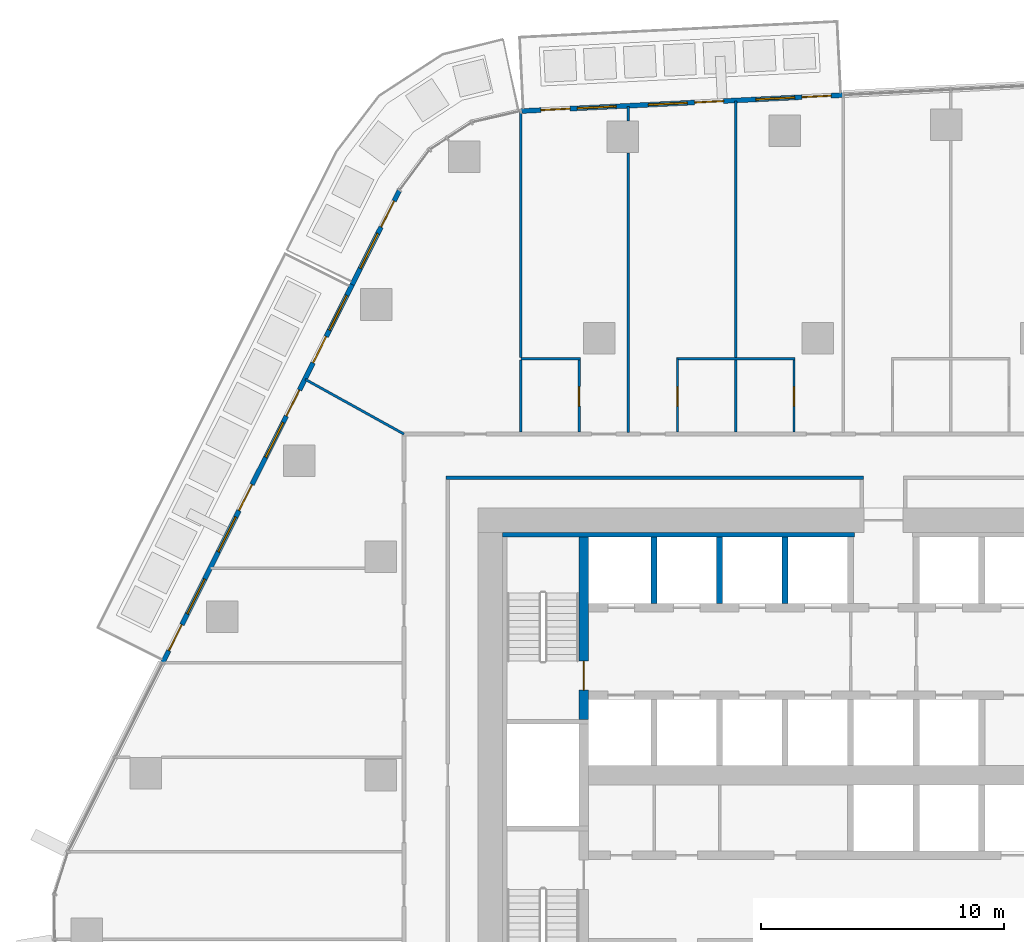
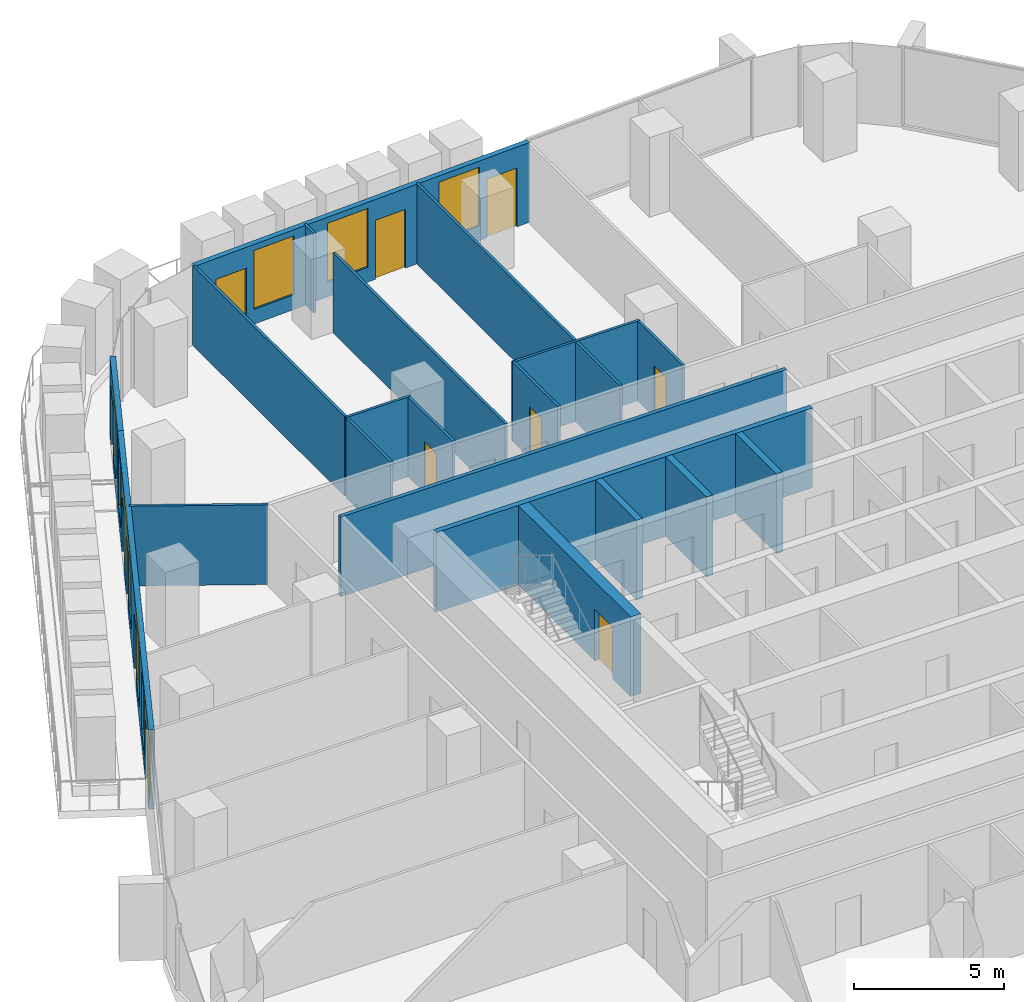
# One storey, part 15 of 24: 21 walls, 12 doors, 8 windows, 20 openings.
"""IFC4 building model written with IfcOpenShell, lengths in metres."""

from ifc_helpers import new_model, si_unit, direction, frame, frame_2d, origin, place, context, subcontext, project, spatial, rectangle, extrude, material, layer, layer_set, type_object, element, fill, save


model = new_model("IFC4")

# Units and contexts
model_context = context("Model", 3, precision=1e-05, world=origin(), true_north=direction((0.0, 1.0)))
body_context = subcontext(model_context, "Body", "Model", "MODEL_VIEW")
ifc_project = project(units=[si_unit("LENGTHUNIT", "METRE"), si_unit("AREAUNIT", "SQUARE_METRE"), si_unit("VOLUMEUNIT", "CUBIC_METRE"), si_unit("PLANEANGLEUNIT", "RADIAN"), si_unit("MASSUNIT", "GRAM", prefix="KILO")], contexts=[model_context])

# Site, building, storey
site_placement = place(None, origin())
site = spatial("IfcSite", under=ifc_project, at=site_placement, CompositionType="ELEMENT")
building_placement = place(site_placement, origin())
building = spatial("IfcBuilding", under=site, at=building_placement, Name="Dongbaek Canopy Tower", CompositionType="ELEMENT")
storey_placement = place(building_placement, frame((0.0, 0.0, 98.89990234375)))
storey = spatial("IfcBuildingStorey", under=building, at=storey_placement, Name="L20", CompositionType="ELEMENT", Elevation=98.89990234375)

# Walls
ifc_material_1 = material(Name="Concrete C60/75", Category="concrete")
ifc_layer_1 = layer(ifc_material_1, 0.199951171875)
ifc_layer_set_1 = layer_set([ifc_layer_1], Name="Core wall lining 200 Concrete C60/75")
wall_type_1 = type_object("IfcWallType", Name="Core wall lining 200 Concrete C60/75", PredefinedType="SHEAR", material=ifc_layer_set_1)
wall_1_placement = place(storey_placement, frame((-13.0, 9.89990234375, 0.0), z_axis=(0.0, 0.0, 1.0), x_axis=(1.0, 0.0, 0.0)))
element("IfcWall", 1, at=wall_1_placement, inside=storey, type_object=wall_type_1, Name="Core wall lining", PredefinedType="SHEAR", context=body_context, shape_type="SweptSolid", body=[
    extrude(rectangle(XDim=14.5, YDim=0.199951171875, at=frame_2d((7.25, 0.0))), origin(), (0.0, 0.0, 1.0), 3.25),
])
ifc_material_2 = material(Name="Gypsum board partition, steel stud, 2 x 15 mm fire board", Category="steel")
ifc_layer_2 = layer(ifc_material_2, 0.14990234375)
ifc_layer_set_2 = layer_set([ifc_layer_2], Name="Fire-rated partition 150 gypsum board")
wall_type_2 = type_object("IfcWallType", Name="Fire-rated partition 150 gypsum board", PredefinedType="PARTITIONING", material=ifc_layer_set_2)
wall_2_placement = place(storey_placement, frame((-15.324951171875, 12.25, 0.0), z_axis=(0.0, 0.0, 1.0), x_axis=(1.0, 0.0, 0.0)))
element("IfcWall", 2, at=wall_2_placement, inside=storey, type_object=wall_type_2, Name="Corridor partition", PredefinedType="PARTITIONING", context=body_context, shape_type="SweptSolid", body=[
    extrude(rectangle(XDim=17.199951171875, YDim=0.14990234375, at=frame_2d((8.60009765625, 0.0))), origin(), (0.0, 0.0, 1.0), 3.25),
])
ifc_material_3 = material(Name="Concrete C40/50", Category="concrete")
ifc_layer_3 = layer(ifc_material_3, 0.25)
ifc_layer_set_3 = layer_set([ifc_layer_3], Name="Lift shaft wall 250 Concrete C40/50")
wall_type_3 = type_object("IfcWallType", Name="Lift shaft wall 250 Concrete C40/50", PredefinedType="SOLIDWALL", material=ifc_layer_set_3)
for number, where, z_axis, x_axis, name in (
    (3, (-1.35009765625, 7.074951171875, 0.0), (0.0, 0.0, 1.0), (0.0, 1.0, 0.0), "Lift shaft wall"),
    (4, (-4.050048828125, 7.074951171875, 0.0), (0.0, 0.0, 1.0), (0.0, 1.0, 0.0), "Lift shaft wall"),
    (5, (-6.75, 7.074951171875, 0.0), (0.0, 0.0, 1.0), (0.0, 1.0, 0.0), "Lift shaft wall"),
):
    element("IfcWall", number, at=place(storey_placement, frame(where, z_axis=z_axis, x_axis=x_axis)), inside=storey, type_object=wall_type_3, Name=name, PredefinedType="SOLIDWALL", context=body_context, shape_type="SweptSolid", body=[
        extrude(rectangle(XDim=2.72509765625, YDim=0.25, at=frame_2d((1.362548828125, 0.0))), origin(), (0.0, 0.0, 1.0), 3.25),
    ])
ifc_material_4 = material(Name="Gypsum board partition, steel stud, 2 x 12.5 mm board", Category="steel")
ifc_layer_4 = layer(ifc_material_4, 0.10009765625)
ifc_layer_set_4 = layer_set([ifc_layer_4], Name="Partition 100 gypsum board")
wall_type_4 = type_object("IfcWallType", Name="Partition 100 gypsum board", PredefinedType="PARTITIONING", material=ifc_layer_set_4)
wall_3_placement = place(storey_placement, frame((-12.238037109375, 17.14990234375, 0.0), z_axis=(0.0, 0.0, 1.0), x_axis=(1.0, 0.0, 0.0)))
element("IfcWall", 6, at=wall_3_placement, inside=storey, type_object=wall_type_4, Name="Partition", PredefinedType="PARTITIONING", context=body_context, shape_type="SweptSolid", body=[
    extrude(rectangle(XDim=2.449951171875, YDim=0.10009765625, at=frame_2d((1.22509765625, 0.0))), origin(), (0.0, 0.0, 1.0), 3.25),
])
wall_4_placement = place(storey_placement, frame((-5.83447265625, 17.14990234375, 0.0), z_axis=(0.0, 0.0, 1.0), x_axis=(1.0, 0.0, 0.0)))
element("IfcWall", 7, at=wall_4_placement, inside=storey, type_object=wall_type_4, Name="Partition", PredefinedType="PARTITIONING", context=body_context, shape_type="SweptSolid", body=[
    extrude(rectangle(XDim=4.89990234375, YDim=0.10009765625, at=frame_2d((2.449951171875, 0.0))), origin(), (0.0, 0.0, 1.0), 3.25),
])

# Wall, opening, door
wall_5_placement = place(storey_placement, frame((-0.985107421875, 14.125, 0.0), z_axis=(0.0, 0.0, 1.0), x_axis=(0.0, 1.0, 0.0)))
wall_5 = element("IfcWall", 8, at=wall_5_placement, inside=storey, type_object=wall_type_4, Name="Partition", PredefinedType="PARTITIONING", context=body_context, shape_type="SweptSolid", body=[
    extrude(rectangle(XDim=2.97509765625, YDim=0.10009765625, at=frame_2d((1.487548828125, 0.0))), origin(), (0.0, 0.0, 1.0), 3.25),
])
opening_1_placement = place(wall_5_placement, frame((1.074951171875, 0.0, 0.0)))
opening_1 = element("IfcOpeningElement", 9, at=opening_1_placement, cuts=wall_5, Name="Opening L20-D029", PredefinedType="OPENING", context=body_context, shape_type="SweptSolid", body=[
    extrude(rectangle(XDim=0.800048828125, YDim=2.10009765625, at=frame_2d((0.39990234375, 1.050048828125))), frame((0.0, 0.06005859375, 0.0), z_axis=(0.0, -1.0, 0.0), x_axis=(1.0, 0.0, 0.0)), (0.0, 0.0, 1.0), 0.1201171875),
])
ifc_material_5 = material(Name="Timber veneered door leaf", Category="wood")
door_type_1 = type_object("IfcDoorType", Name="En-suite door 800 x 2100", OperationType="SINGLE_SWING_LEFT", PredefinedType="DOOR", material=ifc_material_5)
door_1_placement = place(opening_1_placement, origin())
door_1 = element("IfcDoor", 10, at=door_1_placement, inside=storey, type_object=door_type_1, Name="Door L20-D029", OperationType="SINGLE_SWING_RIGHT", OverallHeight=2.10009765625, OverallWidth=0.800048828125, PredefinedType="DOOR", context=body_context, shape_type="SweptSolid", body=[
    extrude(rectangle(XDim=0.800048828125, YDim=2.10009765625, at=frame_2d((0.39990234375, 1.050048828125))), frame((0.0, 0.02490234375, 0.0), z_axis=(0.0, -1.0, 0.0), x_axis=(1.0, 0.0, 0.0)), (0.0, 0.0, 1.0), 0.050048828125),
])
fill(opening_1, door_1)

# Walls
wall_6_placement = place(storey_placement, frame((-3.385009765625, 14.125, 0.0), z_axis=(0.0, 0.0, 1.0), x_axis=(0.0, 1.0, 0.0)))
element("IfcWall", 11, at=wall_6_placement, inside=storey, type_object=wall_type_4, Name="Partition", PredefinedType="PARTITIONING", context=body_context, shape_type="SweptSolid", body=[
    extrude(rectangle(XDim=2.97509765625, YDim=0.10009765625, at=frame_2d((1.487548828125, 0.0))), origin(), (0.0, 0.0, 1.0), 3.25),
])
wall_7_placement = place(storey_placement, frame((-3.385009765625, 17.199951171875, 0.0), z_axis=(0.0, 0.0, 1.0), x_axis=(0.0, 1.0, 0.0)))
element("IfcWall", 12, at=wall_7_placement, inside=storey, type_object=wall_type_4, Name="Partition", PredefinedType="PARTITIONING", context=body_context, shape_type="SweptSolid", body=[
    extrude(rectangle(XDim=10.572998046875, YDim=0.10009765625, at=frame_2d((5.28662109375, 0.0))), origin(), (0.0, 0.0, 1.0), 3.25),
])

# Wall, opening, door
wall_8_placement = place(storey_placement, frame((-5.784912109375, 17.14990234375, 0.0), z_axis=(0.0, 0.0, 1.0), x_axis=(0.0, -1.0, 0.0)))
wall_8 = element("IfcWall", 13, at=wall_8_placement, inside=storey, type_object=wall_type_4, Name="Partition", PredefinedType="PARTITIONING", context=body_context, shape_type="SweptSolid", body=[
    extrude(rectangle(XDim=3.02490234375, YDim=0.10009765625, at=frame_2d((1.512451171875, 0.0))), origin(), (0.0, 0.0, 1.0), 3.25),
])
opening_2_placement = place(wall_8_placement, frame((1.14990234375, 0.0, 0.0)))
opening_2 = element("IfcOpeningElement", 14, at=opening_2_placement, cuts=wall_8, Name="Opening L20-D031", PredefinedType="OPENING", context=body_context, shape_type="SweptSolid", body=[
    extrude(rectangle(XDim=0.800048828125, YDim=2.10009765625, at=frame_2d((0.39990234375, 1.050048828125))), frame((0.0, 0.06005859375, 0.0), z_axis=(0.0, -1.0, 0.0), x_axis=(1.0, 0.0, 0.0)), (0.0, 0.0, 1.0), 0.1201171875),
])
door_2_placement = place(opening_2_placement, origin())
door_2 = element("IfcDoor", 15, at=door_2_placement, inside=storey, type_object=door_type_1, Name="Door L20-D031", OperationType="SINGLE_SWING_LEFT", OverallHeight=2.10009765625, OverallWidth=0.800048828125, PredefinedType="DOOR", context=body_context, shape_type="SweptSolid", body=[
    extrude(rectangle(XDim=0.800048828125, YDim=2.10009765625, at=frame_2d((0.39990234375, 1.050048828125))), frame((0.0, 0.02490234375, 0.0), z_axis=(0.0, -1.0, 0.0), x_axis=(1.0, 0.0, 0.0)), (0.0, 0.0, 1.0), 0.050048828125),
])
fill(opening_2, door_2)

# Walls
wall_9_placement = place(storey_placement, frame((-7.81103515625, 14.125, 0.0), z_axis=(0.0, 0.0, 1.0), x_axis=(0.0, 1.0, 0.0)))
element("IfcWall", 16, at=wall_9_placement, inside=storey, type_object=wall_type_4, Name="Partition", PredefinedType="PARTITIONING", context=body_context, shape_type="SweptSolid", body=[
    extrude(rectangle(XDim=11.512939453125, YDim=0.10009765625, at=frame_2d((5.75634765625, 0.0))), origin(), (0.0, 0.0, 1.0), 3.25),
])
wall_10_placement = place(storey_placement, frame((-7.81103515625, 26.93798828125, 0.0), z_axis=(0.0, 0.0, 1.0), x_axis=(0.0, 1.0, 0.0)))
element("IfcWall", 17, at=wall_10_placement, inside=storey, type_object=wall_type_4, Name="Partition", PredefinedType="PARTITIONING", context=body_context, shape_type="SweptSolid", body=[
    extrude(rectangle(XDim=0.615478515625, YDim=0.10009765625, at=frame_2d((0.3076171875, 0.0))), origin(), (0.0, 0.0, 1.0), 3.25),
])

# Wall, opening, door
wall_11_placement = place(storey_placement, frame((-9.837890625, 14.125, 0.0), z_axis=(0.0, 0.0, 1.0), x_axis=(0.0, 1.0, 0.0)))
wall_11 = element("IfcWall", 18, at=wall_11_placement, inside=storey, type_object=wall_type_4, Name="Partition", PredefinedType="PARTITIONING", context=body_context, shape_type="SweptSolid", body=[
    extrude(rectangle(XDim=3.02490234375, YDim=0.10009765625, at=frame_2d((1.512451171875, 0.0))), origin(), (0.0, 0.0, 1.0), 3.25),
])
opening_3_placement = place(wall_11_placement, frame((1.074951171875, 0.0, 0.0)))
opening_3 = element("IfcOpeningElement", 19, at=opening_3_placement, cuts=wall_11, Name="Opening L20-D033", PredefinedType="OPENING", context=body_context, shape_type="SweptSolid", body=[
    extrude(rectangle(XDim=0.800048828125, YDim=2.10009765625, at=frame_2d((0.39990234375, 1.050048828125))), frame((0.0, 0.06005859375, 0.0), z_axis=(0.0, -1.0, 0.0), x_axis=(1.0, 0.0, 0.0)), (0.0, 0.0, 1.0), 0.1201171875),
])
door_3_placement = place(opening_3_placement, origin())
door_3 = element("IfcDoor", 20, at=door_3_placement, inside=storey, type_object=door_type_1, Name="Door L20-D033", OperationType="SINGLE_SWING_RIGHT", OverallHeight=2.10009765625, OverallWidth=0.800048828125, PredefinedType="DOOR", context=body_context, shape_type="SweptSolid", body=[
    extrude(rectangle(XDim=0.800048828125, YDim=2.10009765625, at=frame_2d((0.39990234375, 1.050048828125))), frame((0.0, 0.02490234375, 0.0), z_axis=(0.0, -1.0, 0.0), x_axis=(1.0, 0.0, 0.0)), (0.0, 0.0, 1.0), 0.050048828125),
])
fill(opening_3, door_3)

# Walls
wall_12_placement = place(storey_placement, frame((-12.238037109375, 14.125, 0.0), z_axis=(0.0, 0.0, 1.0), x_axis=(0.0, 1.0, 0.0)))
element("IfcWall", 21, at=wall_12_placement, inside=storey, type_object=wall_type_4, Name="Partition", PredefinedType="PARTITIONING", context=body_context, shape_type="SweptSolid", body=[
    extrude(rectangle(XDim=2.97509765625, YDim=0.10009765625, at=frame_2d((1.487548828125, 0.0))), origin(), (0.0, 0.0, 1.0), 3.25),
])
wall_13_placement = place(storey_placement, frame((-12.238037109375, 17.199951171875, 0.0), z_axis=(0.0, 0.0, 1.0), x_axis=(0.0, 1.0, 0.0)))
element("IfcWall", 22, at=wall_13_placement, inside=storey, type_object=wall_type_4, Name="Partition", PredefinedType="PARTITIONING", context=body_context, shape_type="SweptSolid", body=[
    extrude(rectangle(XDim=10.13330078125, YDim=0.10009765625, at=frame_2d((5.066650390625, 0.0))), origin(), (0.0, 0.0, 1.0), 3.25),
])
wall_14_placement = place(storey_placement, frame((-21.115478515625, 16.302978515625, 0.0), z_axis=(0.0, 0.0, 1.0), x_axis=(0.874615252971, -0.484817655692, 0.0)))
element("IfcWall", 23, at=wall_14_placement, inside=storey, type_object=wall_type_4, Name="Partition", PredefinedType="PARTITIONING", context=body_context, shape_type="SweptSolid", body=[
    extrude(rectangle(XDim=4.64794921875, YDim=0.10009765625, at=frame_2d((2.323974609375, 0.0))), origin(), (0.0, 0.0, 1.0), 3.25),
])

# Wall, opening, door
ifc_material_6 = material(Name="Concrete C60/75", Category="concrete")
ifc_layer_5 = layer(ifc_material_6, 0.39990234375)
ifc_layer_set_5 = layer_set([ifc_layer_5], Name="Stair wall 400 Concrete C60/75")
wall_type_5 = type_object("IfcWallType", Name="Stair wall 400 Concrete C60/75", PredefinedType="SHEAR", material=ifc_layer_set_5)
wall_15_placement = place(storey_placement, frame((-9.64990234375, 2.300048828125, 0.0), z_axis=(0.0, 0.0, 1.0), x_axis=(0.0, 1.0, 0.0)))
wall_15 = element("IfcWall", 24, at=wall_15_placement, inside=storey, type_object=wall_type_5, Name="Stair wall", PredefinedType="SHEAR", context=body_context, shape_type="SweptSolid", body=[
    extrude(rectangle(XDim=7.5, YDim=0.39990234375, at=frame_2d((3.75, 0.0))), origin(), (0.0, 0.0, 1.0), 3.25),
])
opening_4_placement = place(wall_15_placement, frame((1.199951171875, 0.0, 0.0)))
opening_4 = element("IfcOpeningElement", 25, at=opening_4_placement, cuts=wall_15, Name="Opening L20-D066", PredefinedType="OPENING", context=body_context, shape_type="SweptSolid", body=[
    extrude(rectangle(XDim=1.199951171875, YDim=2.10009765625, at=frame_2d((0.60009765625, 1.050048828125))), frame((0.0, 0.2099609375, 0.0), z_axis=(0.0, -1.0, 0.0), x_axis=(1.0, 0.0, 0.0)), (0.0, 0.0, 1.0), 0.419921875),
])
ifc_material_7 = material(Name="Steel", Category="steel")
door_type_2 = type_object("IfcDoorType", Name="Stair door 1200 x 2100", OperationType="SINGLE_SWING_LEFT", PredefinedType="DOOR", material=ifc_material_7)
door_4_placement = place(opening_4_placement, origin())
door_4 = element("IfcDoor", 26, at=door_4_placement, inside=storey, type_object=door_type_2, Name="Stair C door", OperationType="SINGLE_SWING_RIGHT", OverallHeight=2.10009765625, OverallWidth=1.199951171875, PredefinedType="DOOR", context=body_context, shape_type="SweptSolid", body=[
    extrude(rectangle(XDim=1.199951171875, YDim=2.10009765625, at=frame_2d((0.60009765625, 1.050048828125))), frame((0.0, 0.02490234375, 0.0), z_axis=(0.0, -1.0, 0.0), x_axis=(1.0, 0.0, 0.0)), (0.0, 0.0, 1.0), 0.050048828125),
])
fill(opening_4, door_4)

# Wall, openings, doors, windows
ifc_material_8 = material(Name="Aluminium window wall", Category="aluminium")
ifc_layer_6 = layer(ifc_material_8, 0.199951171875)
ifc_layer_set_6 = layer_set([ifc_layer_6], Name="Window wall 200")
wall_type_6 = type_object("IfcWallType", Name="Window wall 200", PredefinedType="SOLIDWALL", material=ifc_layer_set_6)
wall_16_placement = place(storey_placement, frame((1.042236328125, 28.012451171875, 0.0), z_axis=(0.0, 0.0, 1.0), x_axis=(-0.998772222794, -0.049538338427, 0.0)))
wall_16 = element("IfcWall", 27, at=wall_16_placement, inside=storey, type_object=wall_type_6, Name="Window wall L20 2", PredefinedType="SOLIDWALL", context=body_context, shape_type="SweptSolid", body=[
    extrude(rectangle(XDim=13.296630859375, YDim=0.199951171875, at=frame_2d((6.6484375, 0.0))), origin(), (0.0, 0.0, 1.0), 3.25),
])
opening_5_placement = place(wall_16_placement, frame((2.0, 0.0, 0.60009765625)))
opening_5 = element("IfcOpeningElement", 28, at=opening_5_placement, cuts=wall_16, Name="Opening W1", PredefinedType="OPENING", context=body_context, shape_type="SweptSolid", body=[
    extrude(rectangle(XDim=1.60009765625, YDim=2.39990234375, at=frame_2d((0.800048828125, 1.199951171875))), frame((0.0, 0.10986328125, 0.0), z_axis=(0.0, -1.0, 0.0), x_axis=(1.0, 0.0, 0.0)), (0.0, 0.0, 1.0), 0.219970703125),
])
opening_6_placement = place(wall_16_placement, frame((0.5, 0.0, 0.0)))
opening_6 = element("IfcOpeningElement", 29, at=opening_6_placement, cuts=wall_16, Name="Opening L20-B04", PredefinedType="OPENING", context=body_context, shape_type="SweptSolid", body=[
    extrude(rectangle(XDim=1.199951171875, YDim=2.39990234375, at=frame_2d((0.60009765625, 1.199951171875))), frame((0.0, 0.10986328125, 0.0), z_axis=(0.0, -1.0, 0.0), x_axis=(1.0, 0.0, 0.0)), (0.0, 0.0, 1.0), 0.219970703125),
])
opening_7_placement = place(wall_16_placement, frame((6.43212890625, 0.0, 0.60009765625)))
opening_7 = element("IfcOpeningElement", 30, at=opening_7_placement, cuts=wall_16, Name="Opening W1", PredefinedType="OPENING", context=body_context, shape_type="SweptSolid", body=[
    extrude(rectangle(XDim=1.60009765625, YDim=2.39990234375, at=frame_2d((0.800048828125, 1.199951171875))), frame((0.0, 0.10986328125, 0.0), z_axis=(0.0, -1.0, 0.0), x_axis=(1.0, 0.0, 0.0)), (0.0, 0.0, 1.0), 0.219970703125),
])
opening_8_placement = place(wall_16_placement, frame((4.93212890625, 0.0, 0.0)))
opening_8 = element("IfcOpeningElement", 31, at=opening_8_placement, cuts=wall_16, Name="Opening L20-B05", PredefinedType="OPENING", context=body_context, shape_type="SweptSolid", body=[
    extrude(rectangle(XDim=1.199951171875, YDim=2.39990234375, at=frame_2d((0.60009765625, 1.199951171875))), frame((0.0, 0.10986328125, 0.0), z_axis=(0.0, -1.0, 0.0), x_axis=(1.0, 0.0, 0.0)), (0.0, 0.0, 1.0), 0.219970703125),
])
opening_9_placement = place(wall_16_placement, frame((9.364501953125, 0.0, 0.60009765625)))
opening_9 = element("IfcOpeningElement", 32, at=opening_9_placement, cuts=wall_16, Name="Opening W1", PredefinedType="OPENING", context=body_context, shape_type="SweptSolid", body=[
    extrude(rectangle(XDim=1.60009765625, YDim=2.39990234375, at=frame_2d((0.800048828125, 1.199951171875))), frame((0.0, 0.10986328125, 0.0), z_axis=(0.0, -1.0, 0.0), x_axis=(1.0, 0.0, 0.0)), (0.0, 0.0, 1.0), 0.219970703125),
])
opening_10_placement = place(wall_16_placement, frame((11.264404296875, 0.0, 0.0)))
opening_10 = element("IfcOpeningElement", 33, at=opening_10_placement, cuts=wall_16, Name="Opening L20-B06", PredefinedType="OPENING", context=body_context, shape_type="SweptSolid", body=[
    extrude(rectangle(XDim=1.199951171875, YDim=2.39990234375, at=frame_2d((0.60009765625, 1.199951171875))), frame((0.0, 0.10986328125, 0.0), z_axis=(0.0, -1.0, 0.0), x_axis=(1.0, 0.0, 0.0)), (0.0, 0.0, 1.0), 0.219970703125),
])
ifc_material_9 = material(Name="Clear glazing in aluminium frame", Category="aluminium")
door_type_3 = type_object("IfcDoorType", Name="Balcony door BD1 1200 x 2400", OperationType="SLIDING_TO_LEFT", PredefinedType="DOOR", material=ifc_material_9)
door_5_placement = place(opening_6_placement, origin())
door_5 = element("IfcDoor", 34, at=door_5_placement, inside=storey, type_object=door_type_3, Name="Balcony door L20-B04", OperationType="SLIDING_TO_LEFT", OverallHeight=2.39990234375, OverallWidth=1.199951171875, PredefinedType="DOOR", context=body_context, shape_type="SweptSolid", body=[
    extrude(rectangle(XDim=1.199951171875, YDim=2.39990234375, at=frame_2d((0.60009765625, 1.199951171875))), frame((0.0, 0.02490234375, 0.0), z_axis=(0.0, -1.0, 0.0), x_axis=(1.0, 0.0, 0.0)), (0.0, 0.0, 1.0), 0.050048828125),
])
fill(opening_6, door_5)
door_6_placement = place(opening_8_placement, origin())
door_6 = element("IfcDoor", 35, at=door_6_placement, inside=storey, type_object=door_type_3, Name="Balcony door L20-B05", OperationType="SLIDING_TO_LEFT", OverallHeight=2.39990234375, OverallWidth=1.199951171875, PredefinedType="DOOR", context=body_context, shape_type="SweptSolid", body=[
    extrude(rectangle(XDim=1.199951171875, YDim=2.39990234375, at=frame_2d((0.60009765625, 1.199951171875))), frame((0.0, 0.02490234375, 0.0), z_axis=(0.0, -1.0, 0.0), x_axis=(1.0, 0.0, 0.0)), (0.0, 0.0, 1.0), 0.050048828125),
])
fill(opening_8, door_6)
door_7_placement = place(opening_10_placement, origin())
door_7 = element("IfcDoor", 36, at=door_7_placement, inside=storey, type_object=door_type_3, Name="Balcony door L20-B06", OperationType="SLIDING_TO_LEFT", OverallHeight=2.39990234375, OverallWidth=1.199951171875, PredefinedType="DOOR", context=body_context, shape_type="SweptSolid", body=[
    extrude(rectangle(XDim=1.199951171875, YDim=2.39990234375, at=frame_2d((0.60009765625, 1.199951171875))), frame((0.0, 0.02490234375, 0.0), z_axis=(0.0, -1.0, 0.0), x_axis=(1.0, 0.0, 0.0)), (0.0, 0.0, 1.0), 0.050048828125),
])
fill(opening_10, door_7)
ifc_material_10 = material(Name="Clear glazing in aluminium frame", Category="aluminium")
window_type = type_object("IfcWindowType", Name="Window W1 1600 x 2400", PartitioningType="SINGLE_PANEL", PredefinedType="WINDOW", material=ifc_material_10)
window_1_placement = place(opening_5_placement, origin())
window_1 = element("IfcWindow", 37, at=window_1_placement, inside=storey, type_object=window_type, Name="Window L20 2.1", OverallHeight=2.39990234375, OverallWidth=1.60009765625, PartitioningType="SINGLE_PANEL", PredefinedType="WINDOW", context=body_context, shape_type="SweptSolid", body=[
    extrude(rectangle(XDim=1.60009765625, YDim=2.39990234375, at=frame_2d((0.800048828125, 1.199951171875))), frame((0.0, 0.030029296875, 0.0), z_axis=(0.0, -1.0, 0.0), x_axis=(1.0, 0.0, 0.0)), (0.0, 0.0, 1.0), 0.06005859375),
])
fill(opening_5, window_1)
window_2_placement = place(opening_7_placement, origin())
window_2 = element("IfcWindow", 38, at=window_2_placement, inside=storey, type_object=window_type, Name="Window L20 2.2", OverallHeight=2.39990234375, OverallWidth=1.60009765625, PartitioningType="SINGLE_PANEL", PredefinedType="WINDOW", context=body_context, shape_type="SweptSolid", body=[
    extrude(rectangle(XDim=1.60009765625, YDim=2.39990234375, at=frame_2d((0.800048828125, 1.199951171875))), frame((0.0, 0.030029296875, 0.0), z_axis=(0.0, -1.0, 0.0), x_axis=(1.0, 0.0, 0.0)), (0.0, 0.0, 1.0), 0.06005859375),
])
fill(opening_7, window_2)
window_3_placement = place(opening_9_placement, origin())
window_3 = element("IfcWindow", 39, at=window_3_placement, inside=storey, type_object=window_type, Name="Window L20 2.3", OverallHeight=2.39990234375, OverallWidth=1.60009765625, PartitioningType="SINGLE_PANEL", PredefinedType="WINDOW", context=body_context, shape_type="SweptSolid", body=[
    extrude(rectangle(XDim=1.60009765625, YDim=2.39990234375, at=frame_2d((0.800048828125, 1.199951171875))), frame((0.0, 0.030029296875, 0.0), z_axis=(0.0, -1.0, 0.0), x_axis=(1.0, 0.0, 0.0)), (0.0, 0.0, 1.0), 0.06005859375),
])
fill(opening_9, window_3)

wall_17_placement = place(storey_placement, frame((-19.18115234375, 20.20849609375, 0.0), z_axis=(0.0, 0.0, 1.0), x_axis=(-0.447953166305, -0.894057023236, 0.0)))
wall_17 = element("IfcWall", 40, at=wall_17_placement, inside=storey, type_object=wall_type_6, Name="Window wall L20 3", PredefinedType="SOLIDWALL", context=body_context, shape_type="SweptSolid", body=[
    extrude(rectangle(XDim=17.42626953125, YDim=0.199951171875, at=frame_2d((8.713134765625, 0.0))), origin(), (0.0, 0.0, 1.0), 3.25),
])
opening_11_placement = place(wall_17_placement, frame((0.5, 0.0, 0.60009765625)))
opening_11 = element("IfcOpeningElement", 41, at=opening_11_placement, cuts=wall_17, Name="Opening W1", PredefinedType="OPENING", context=body_context, shape_type="SweptSolid", body=[
    extrude(rectangle(XDim=1.60009765625, YDim=2.39990234375, at=frame_2d((0.800048828125, 1.199951171875))), frame((0.0, 0.10986328125, 0.0), z_axis=(0.0, -1.0, 0.0), x_axis=(1.0, 0.0, 0.0)), (0.0, 0.0, 1.0), 0.219970703125),
])
opening_12_placement = place(wall_17_placement, frame((2.39990234375, 0.0, 0.0)))
opening_12 = element("IfcOpeningElement", 42, at=opening_12_placement, cuts=wall_17, Name="Opening L20-B07", PredefinedType="OPENING", context=body_context, shape_type="SweptSolid", body=[
    extrude(rectangle(XDim=1.199951171875, YDim=2.39990234375, at=frame_2d((0.60009765625, 1.199951171875))), frame((0.0, 0.10986328125, 0.0), z_axis=(0.0, -1.0, 0.0), x_axis=(1.0, 0.0, 0.0)), (0.0, 0.0, 1.0), 0.219970703125),
])
opening_13_placement = place(wall_17_placement, frame((6.356689453125, 0.0, 0.60009765625)))
opening_13 = element("IfcOpeningElement", 43, at=opening_13_placement, cuts=wall_17, Name="Opening W1", PredefinedType="OPENING", context=body_context, shape_type="SweptSolid", body=[
    extrude(rectangle(XDim=1.60009765625, YDim=2.39990234375, at=frame_2d((0.800048828125, 1.199951171875))), frame((0.0, 0.10986328125, 0.0), z_axis=(0.0, -1.0, 0.0), x_axis=(1.0, 0.0, 0.0)), (0.0, 0.0, 1.0), 0.219970703125),
])
opening_14_placement = place(wall_17_placement, frame((4.856689453125, 0.0, 0.0)))
opening_14 = element("IfcOpeningElement", 44, at=opening_14_placement, cuts=wall_17, Name="Opening L20-B08", PredefinedType="OPENING", context=body_context, shape_type="SweptSolid", body=[
    extrude(rectangle(XDim=1.199951171875, YDim=2.39990234375, at=frame_2d((0.60009765625, 1.199951171875))), frame((0.0, 0.10986328125, 0.0), z_axis=(0.0, -1.0, 0.0), x_axis=(1.0, 0.0, 0.0)), (0.0, 0.0, 1.0), 0.219970703125),
])
opening_15_placement = place(wall_17_placement, frame((10.713134765625, 0.0, 0.60009765625)))
opening_15 = element("IfcOpeningElement", 45, at=opening_15_placement, cuts=wall_17, Name="Opening W1", PredefinedType="OPENING", context=body_context, shape_type="SweptSolid", body=[
    extrude(rectangle(XDim=1.60009765625, YDim=2.39990234375, at=frame_2d((0.800048828125, 1.199951171875))), frame((0.0, 0.10986328125, 0.0), z_axis=(0.0, -1.0, 0.0), x_axis=(1.0, 0.0, 0.0)), (0.0, 0.0, 1.0), 0.219970703125),
])
opening_16_placement = place(wall_17_placement, frame((9.213134765625, 0.0, 0.0)))
opening_16 = element("IfcOpeningElement", 46, at=opening_16_placement, cuts=wall_17, Name="Opening L20-B09", PredefinedType="OPENING", context=body_context, shape_type="SweptSolid", body=[
    extrude(rectangle(XDim=1.199951171875, YDim=2.39990234375, at=frame_2d((0.60009765625, 1.199951171875))), frame((0.0, 0.10986328125, 0.0), z_axis=(0.0, -1.0, 0.0), x_axis=(1.0, 0.0, 0.0)), (0.0, 0.0, 1.0), 0.219970703125),
])
opening_17_placement = place(wall_17_placement, frame((13.56982421875, 0.0, 0.60009765625)))
opening_17 = element("IfcOpeningElement", 47, at=opening_17_placement, cuts=wall_17, Name="Opening W1", PredefinedType="OPENING", context=body_context, shape_type="SweptSolid", body=[
    extrude(rectangle(XDim=1.60009765625, YDim=2.39990234375, at=frame_2d((0.800048828125, 1.199951171875))), frame((0.0, 0.10986328125, 0.0), z_axis=(0.0, -1.0, 0.0), x_axis=(1.0, 0.0, 0.0)), (0.0, 0.0, 1.0), 0.219970703125),
])
opening_18_placement = place(wall_17_placement, frame((15.669921875, 0.0, 0.0)))
opening_18 = element("IfcOpeningElement", 48, at=opening_18_placement, cuts=wall_17, Name="Opening L20-B10", PredefinedType="OPENING", context=body_context, shape_type="SweptSolid", body=[
    extrude(rectangle(XDim=1.199951171875, YDim=2.39990234375, at=frame_2d((0.60009765625, 1.199951171875))), frame((0.0, 0.10986328125, 0.0), z_axis=(0.0, -1.0, 0.0), x_axis=(1.0, 0.0, 0.0)), (0.0, 0.0, 1.0), 0.219970703125),
])
door_8_placement = place(opening_12_placement, origin())
door_8 = element("IfcDoor", 49, at=door_8_placement, inside=storey, type_object=door_type_3, Name="Balcony door L20-B07", OperationType="SLIDING_TO_LEFT", OverallHeight=2.39990234375, OverallWidth=1.199951171875, PredefinedType="DOOR", context=body_context, shape_type="SweptSolid", body=[
    extrude(rectangle(XDim=1.199951171875, YDim=2.39990234375, at=frame_2d((0.60009765625, 1.199951171875))), frame((0.0, 0.02490234375, 0.0), z_axis=(0.0, -1.0, 0.0), x_axis=(1.0, 0.0, 0.0)), (0.0, 0.0, 1.0), 0.050048828125),
])
fill(opening_12, door_8)
door_9_placement = place(opening_14_placement, origin())
door_9 = element("IfcDoor", 50, at=door_9_placement, inside=storey, type_object=door_type_3, Name="Balcony door L20-B08", OperationType="SLIDING_TO_LEFT", OverallHeight=2.39990234375, OverallWidth=1.199951171875, PredefinedType="DOOR", context=body_context, shape_type="SweptSolid", body=[
    extrude(rectangle(XDim=1.199951171875, YDim=2.39990234375, at=frame_2d((0.60009765625, 1.199951171875))), frame((0.0, 0.02490234375, 0.0), z_axis=(0.0, -1.0, 0.0), x_axis=(1.0, 0.0, 0.0)), (0.0, 0.0, 1.0), 0.050048828125),
])
fill(opening_14, door_9)
door_10_placement = place(opening_16_placement, origin())
door_10 = element("IfcDoor", 51, at=door_10_placement, inside=storey, type_object=door_type_3, Name="Balcony door L20-B09", OperationType="SLIDING_TO_LEFT", OverallHeight=2.39990234375, OverallWidth=1.199951171875, PredefinedType="DOOR", context=body_context, shape_type="SweptSolid", body=[
    extrude(rectangle(XDim=1.199951171875, YDim=2.39990234375, at=frame_2d((0.60009765625, 1.199951171875))), frame((0.0, 0.02490234375, 0.0), z_axis=(0.0, -1.0, 0.0), x_axis=(1.0, 0.0, 0.0)), (0.0, 0.0, 1.0), 0.050048828125),
])
fill(opening_16, door_10)
door_11_placement = place(opening_18_placement, origin())
door_11 = element("IfcDoor", 52, at=door_11_placement, inside=storey, type_object=door_type_3, Name="Balcony door L20-B10", OperationType="SLIDING_TO_LEFT", OverallHeight=2.39990234375, OverallWidth=1.199951171875, PredefinedType="DOOR", context=body_context, shape_type="SweptSolid", body=[
    extrude(rectangle(XDim=1.199951171875, YDim=2.39990234375, at=frame_2d((0.60009765625, 1.199951171875))), frame((0.0, 0.02490234375, 0.0), z_axis=(0.0, -1.0, 0.0), x_axis=(1.0, 0.0, 0.0)), (0.0, 0.0, 1.0), 0.050048828125),
])
fill(opening_18, door_11)
window_4_placement = place(opening_11_placement, origin())
window_4 = element("IfcWindow", 53, at=window_4_placement, inside=storey, type_object=window_type, Name="Window L20 3.1", OverallHeight=2.39990234375, OverallWidth=1.60009765625, PartitioningType="SINGLE_PANEL", PredefinedType="WINDOW", context=body_context, shape_type="SweptSolid", body=[
    extrude(rectangle(XDim=1.60009765625, YDim=2.39990234375, at=frame_2d((0.800048828125, 1.199951171875))), frame((0.0, 0.030029296875, 0.0), z_axis=(0.0, -1.0, 0.0), x_axis=(1.0, 0.0, 0.0)), (0.0, 0.0, 1.0), 0.06005859375),
])
fill(opening_11, window_4)
window_5_placement = place(opening_13_placement, origin())
window_5 = element("IfcWindow", 54, at=window_5_placement, inside=storey, type_object=window_type, Name="Window L20 3.2", OverallHeight=2.39990234375, OverallWidth=1.60009765625, PartitioningType="SINGLE_PANEL", PredefinedType="WINDOW", context=body_context, shape_type="SweptSolid", body=[
    extrude(rectangle(XDim=1.60009765625, YDim=2.39990234375, at=frame_2d((0.800048828125, 1.199951171875))), frame((0.0, 0.030029296875, 0.0), z_axis=(0.0, -1.0, 0.0), x_axis=(1.0, 0.0, 0.0)), (0.0, 0.0, 1.0), 0.06005859375),
])
fill(opening_13, window_5)
window_6_placement = place(opening_15_placement, origin())
window_6 = element("IfcWindow", 55, at=window_6_placement, inside=storey, type_object=window_type, Name="Window L20 3.3", OverallHeight=2.39990234375, OverallWidth=1.60009765625, PartitioningType="SINGLE_PANEL", PredefinedType="WINDOW", context=body_context, shape_type="SweptSolid", body=[
    extrude(rectangle(XDim=1.60009765625, YDim=2.39990234375, at=frame_2d((0.800048828125, 1.199951171875))), frame((0.0, 0.030029296875, 0.0), z_axis=(0.0, -1.0, 0.0), x_axis=(1.0, 0.0, 0.0)), (0.0, 0.0, 1.0), 0.06005859375),
])
fill(opening_15, window_6)
window_7_placement = place(opening_17_placement, origin())
window_7 = element("IfcWindow", 56, at=window_7_placement, inside=storey, type_object=window_type, Name="Window L20 3.4", OverallHeight=2.39990234375, OverallWidth=1.60009765625, PartitioningType="SINGLE_PANEL", PredefinedType="WINDOW", context=body_context, shape_type="SweptSolid", body=[
    extrude(rectangle(XDim=1.60009765625, YDim=2.39990234375, at=frame_2d((0.800048828125, 1.199951171875))), frame((0.0, 0.030029296875, 0.0), z_axis=(0.0, -1.0, 0.0), x_axis=(1.0, 0.0, 0.0)), (0.0, 0.0, 1.0), 0.06005859375),
])
fill(opening_17, window_7)

# Wall, openings, door, window
wall_18_placement = place(storey_placement, frame((-17.2333984375, 24.095703125, 0.0), z_axis=(0.0, 0.0, 1.0), x_axis=(-0.447977093624, -0.89404503443, 0.0)))
wall_18 = element("IfcWall", 57, at=wall_18_placement, inside=storey, type_object=wall_type_6, Name="Window wall L20 7", PredefinedType="SOLIDWALL", context=body_context, shape_type="SweptSolid", body=[
    extrude(rectangle(XDim=4.347900390625, YDim=0.199951171875, at=frame_2d((2.173828125, 0.0))), origin(), (0.0, 0.0, 1.0), 3.25),
])
opening_19_placement = place(wall_18_placement, frame((2.0, 0.0, 0.60009765625)))
opening_19 = element("IfcOpeningElement", 58, at=opening_19_placement, cuts=wall_18, Name="Opening W1", PredefinedType="OPENING", context=body_context, shape_type="SweptSolid", body=[
    extrude(rectangle(XDim=1.60009765625, YDim=2.39990234375, at=frame_2d((0.800048828125, 1.199951171875))), frame((0.0, 0.10986328125, 0.0), z_axis=(0.0, -1.0, 0.0), x_axis=(1.0, 0.0, 0.0)), (0.0, 0.0, 1.0), 0.219970703125),
])
opening_20_placement = place(wall_18_placement, frame((0.5, 0.0, 0.0)))
opening_20 = element("IfcOpeningElement", 59, at=opening_20_placement, cuts=wall_18, Name="Opening L20-B11", PredefinedType="OPENING", context=body_context, shape_type="SweptSolid", body=[
    extrude(rectangle(XDim=1.199951171875, YDim=2.39990234375, at=frame_2d((0.60009765625, 1.199951171875))), frame((0.0, 0.10986328125, 0.0), z_axis=(0.0, -1.0, 0.0), x_axis=(1.0, 0.0, 0.0)), (0.0, 0.0, 1.0), 0.219970703125),
])
door_12_placement = place(opening_20_placement, origin())
door_12 = element("IfcDoor", 60, at=door_12_placement, inside=storey, type_object=door_type_3, Name="Balcony door L20-B11", OperationType="SLIDING_TO_LEFT", OverallHeight=2.39990234375, OverallWidth=1.199951171875, PredefinedType="DOOR", context=body_context, shape_type="SweptSolid", body=[
    extrude(rectangle(XDim=1.199951171875, YDim=2.39990234375, at=frame_2d((0.60009765625, 1.199951171875))), frame((0.0, 0.02490234375, 0.0), z_axis=(0.0, -1.0, 0.0), x_axis=(1.0, 0.0, 0.0)), (0.0, 0.0, 1.0), 0.050048828125),
])
fill(opening_20, door_12)
window_8_placement = place(opening_19_placement, origin())
window_8 = element("IfcWindow", 61, at=window_8_placement, inside=storey, type_object=window_type, Name="Window L20 7.1", OverallHeight=2.39990234375, OverallWidth=1.60009765625, PartitioningType="SINGLE_PANEL", PredefinedType="WINDOW", context=body_context, shape_type="SweptSolid", body=[
    extrude(rectangle(XDim=1.60009765625, YDim=2.39990234375, at=frame_2d((0.800048828125, 1.199951171875))), frame((0.0, 0.030029296875, 0.0), z_axis=(0.0, -1.0, 0.0), x_axis=(1.0, 0.0, 0.0)), (0.0, 0.0, 1.0), 0.06005859375),
])
fill(opening_19, window_8)

save(model, "model.ifc")
